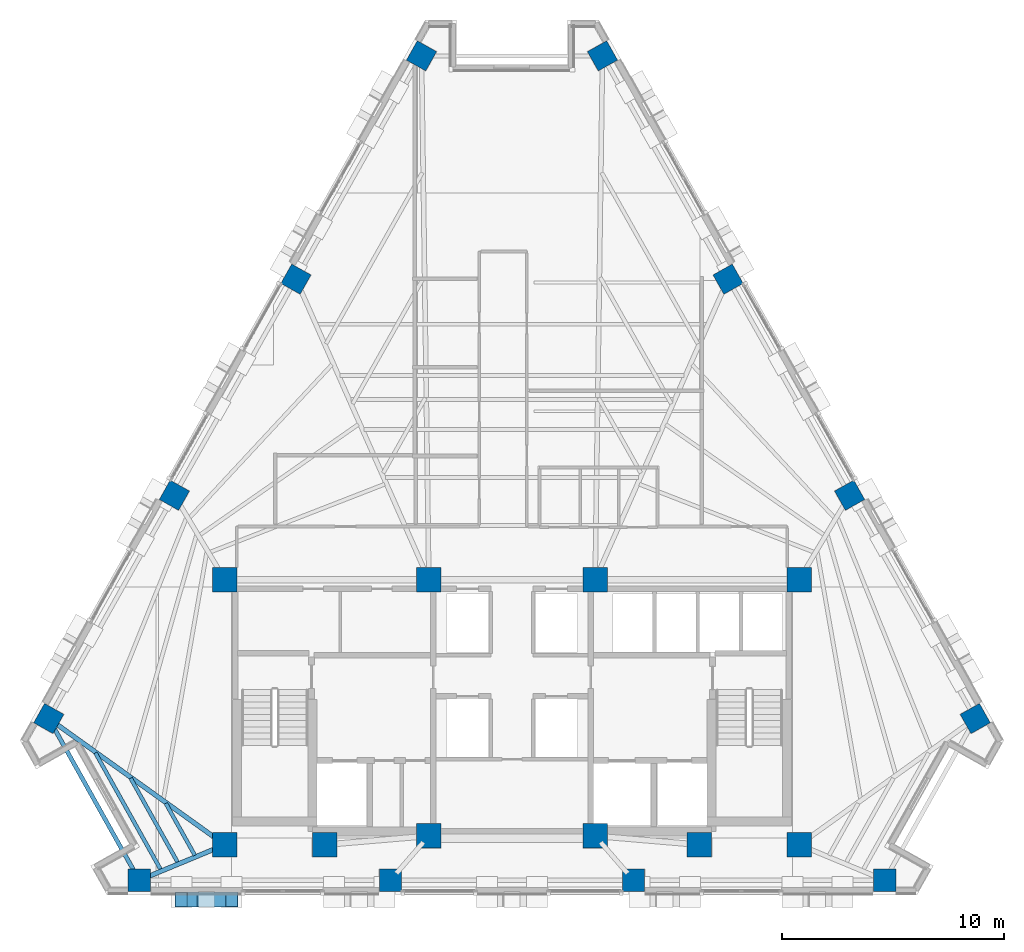
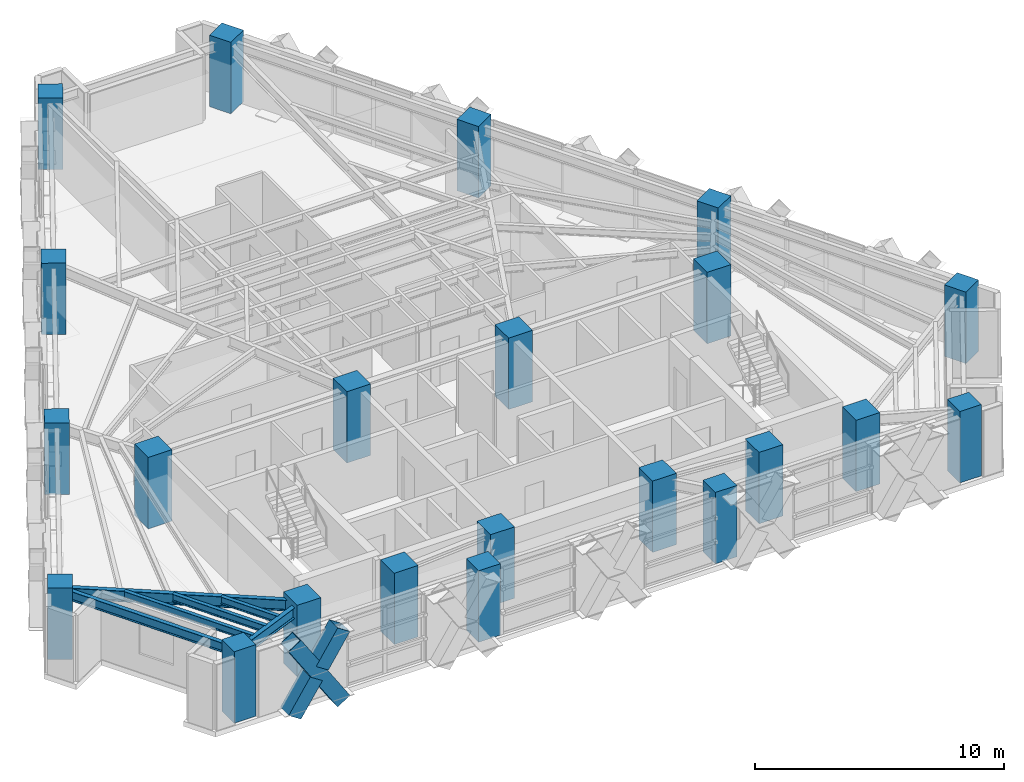
# One storey, part 1 of 14: 22 columns, 6 beams, 3 members.
"""IFC4 building model written with IfcOpenShell, lengths in metres."""

import ifcopenshell
import ifcopenshell.guid

model = None  # the IFC model being written
_history = None  # IfcOwnerHistory: only IFC2X3 demands one
_inside = {}  # id of a spatial element -> (the spatial element, [elements in it])
_under = {}  # id of a project, library or spatial element -> (it, [spatial elements below it])
_declared = {}  # id of a project -> (the project, [libraries it declares])
_typed = {}  # id of a type object -> (the type object, [elements of that type])
_made_of = {}  # id of a material, layer set ... -> (it, [elements and type objects made of it])


def new_model(schema):
    """Start an empty IFC model of exactly this schema.

    Asked for "IFC4X3", IfcOpenShell would pick the latest addendum, in which some entities
    have other attributes; the version numbers below select the first issue.
    IFC2X3 requires an IfcOwnerHistory on every rooted entity: one is made here for all.
    """
    global model, _history
    if schema == "IFC4X3":
        model = ifcopenshell.file(schema_version=(4, 3, 0, 0))
    else:
        model = ifcopenshell.file(schema=schema)
    _inside.clear()
    _under.clear()
    _declared.clear()
    _typed.clear()
    _made_of.clear()
    _history = None
    if model.schema == "IFC2X3":
        org = make("IfcOrganization", Name="unknown")
        user = make(
            "IfcPersonAndOrganization",
            ThePerson=make("IfcPerson", FamilyName="unknown"),
            TheOrganization=org,
        )
        app = make(
            "IfcApplication",
            ApplicationDeveloper=org,
            Version="unknown",
            ApplicationFullName="unknown",
            ApplicationIdentifier="unknown",
        )
        _history = make(
            "IfcOwnerHistory",
            OwningUser=user,
            OwningApplication=app,
            ChangeAction="ADDED",
            CreationDate=0,
        )
    return model


def make(cls, **values):
    """One entity of the class cls with the attributes given. An attribute that is None is left unset."""
    return model.create_entity(
        cls, **{name: value for name, value in values.items() if value is not None}
    )


def rooted(cls, **values):
    """An entity with a GlobalId (a new one), such as an element, a storey or a relation."""
    return make(cls, GlobalId=ifcopenshell.guid.new(), OwnerHistory=_history, **values)


def si_unit(unit_type, name, prefix=None):
    """IfcSIUnit, for example si_unit("LENGTHUNIT", "METRE", prefix="MILLI")."""
    return make("IfcSIUnit", UnitType=unit_type, Prefix=prefix, Name=name)


def assignment(units):
    """IfcUnitAssignment: the units of a project."""
    return None if units is None else make("IfcUnitAssignment", Units=units)


def point(xyz):
    """IfcCartesianPoint."""
    return None if xyz is None else make("IfcCartesianPoint", Coordinates=xyz)


def direction(xyz):
    """IfcDirection."""
    return None if xyz is None else make("IfcDirection", DirectionRatios=xyz)


def frame(location, z_axis=None, x_axis=None):
    """IfcAxis2Placement3D, a coordinate frame: its origin and axes. An axis left out is left unset."""
    return make(
        "IfcAxis2Placement3D",
        Location=point(location),
        Axis=direction(z_axis),
        RefDirection=direction(x_axis),
    )


def frame_2d(location, x_axis=None):
    """IfcAxis2Placement2D, a coordinate frame in the plane: its origin and x axis."""
    return make(
        "IfcAxis2Placement2D", Location=point(location), RefDirection=direction(x_axis)
    )


def origin():
    """The frame at (0, 0, 0) with its axes left unset."""
    return frame((0.0, 0.0, 0.0))


def origin_2d():
    """The frame at (0, 0) in the plane with its x axis left unset."""
    return frame_2d((0.0, 0.0))


def place(relative_to, where):
    """IfcLocalPlacement: puts the frame where relative to a parent placement (None: the world)."""
    return make(
        "IfcLocalPlacement", PlacementRelTo=relative_to, RelativePlacement=where
    )


def context(
    kind, dimensions, precision=None, world=None, true_north=None, identifier=None
):
    """IfcGeometricRepresentationContext, for example the 3D "Model" context."""
    return make(
        "IfcGeometricRepresentationContext",
        ContextIdentifier=identifier,
        ContextType=kind,
        CoordinateSpaceDimension=dimensions,
        Precision=precision,
        WorldCoordinateSystem=world,
        TrueNorth=true_north,
    )


def subcontext(parent, identifier, kind, view, scale=None):
    """IfcGeometricRepresentationSubContext, for example "Body" below "Model"."""
    return make(
        "IfcGeometricRepresentationSubContext",
        ContextIdentifier=identifier,
        ContextType=kind,
        ParentContext=parent,
        TargetScale=scale,
        TargetView=view,
    )


def project(units=None, contexts=None):
    """IfcProject with its units and contexts."""
    return rooted(
        "IfcProject",
        Name="project",
        RepresentationContexts=contexts,
        UnitsInContext=assignment(units),
    )


def spatial(cls, under=None, at=None, **own):
    """A site, building, storey or space (cls), placed at a placement, below another one or the project."""
    s = rooted(cls, ObjectPlacement=at, **own)
    if under is not None:
        _under.setdefault(under.id(), (under, []))[1].append(s)
    return s


def profile(cls, at=None, kind="AREA", **sizes):
    """A parametric profile (cls). Its sizes go by their IFC names, for example OverallWidth=200.0."""
    return make(cls, ProfileType=kind, Position=at, **sizes)


def rectangle(**sizes):
    """IfcRectangleProfileDef."""
    return profile("IfcRectangleProfileDef", **sizes)


def hollow_rectangle(**sizes):
    """IfcRectangleHollowProfileDef."""
    return profile("IfcRectangleHollowProfileDef", **sizes)


def i_section(**sizes):
    """IfcIShapeProfileDef."""
    return profile("IfcIShapeProfileDef", **sizes)


def extrude(swept, where, along, depth):
    """IfcExtrudedAreaSolid: the profile swept, set in the frame where, extruded along a direction by depth."""
    return make(
        "IfcExtrudedAreaSolid",
        SweptArea=swept,
        Position=where,
        ExtrudedDirection=direction(along),
        Depth=depth,
    )


def shape(context_of_items, identifier, shape_type, items):
    """IfcShapeRepresentation: the items that make up one representation, for example the "Body"."""
    return make(
        "IfcShapeRepresentation",
        ContextOfItems=context_of_items,
        RepresentationIdentifier=identifier,
        RepresentationType=shape_type,
        Items=items,
    )


def material(Name=None, Category=None):
    """IfcMaterial."""
    return make("IfcMaterial", Name=Name, Category=Category)


def material_profile(
    of_material, cross_section, Name=None, Category=None, Priority=None
):
    """IfcMaterialProfile: a cross section and its material."""
    return make(
        "IfcMaterialProfile",
        Name=Name,
        Material=of_material,
        Profile=cross_section,
        Priority=Priority,
        Category=Category,
    )


def profile_set(profiles, Name=None, composite=None):
    """IfcMaterialProfileSet."""
    return make(
        "IfcMaterialProfileSet",
        Name=Name,
        MaterialProfiles=profiles,
        CompositeProfile=composite,
    )


def made_of(thing, what):
    """Note that an element or type object is made of a material, layer set ...; save() writes the relation."""
    if what is not None:
        _made_of.setdefault(what.id(), (what, []))[1].append(thing)
    return thing


def type_object(cls, material=None, **own):
    """A type object (cls), such as IfcWallType, which elements share."""
    return made_of(rooted(cls, **own), material)


def element(
    cls,
    number,
    at=None,
    inside=None,
    cuts=None,
    type_object=None,
    material=None,
    context=None,
    identifier="Body",
    shape_type=None,
    held_by="IfcProductDefinitionShape",
    body=None,
    shapes=None,
    **own,
):
    """One element of the class cls, such as IfcWall. Its Tag is "e" and its number.

    at: its placement. inside: the storey or other place that contains it. cuts: it is an
    opening in that element (IfcRelVoidsElement). A single representation is given by context,
    identifier, shape_type and body (its items); several are given by shapes. held_by: the class
    of the entity that holds the representations. save() writes the other relations.
    """
    e = rooted(cls, Tag="e%d" % number, ObjectPlacement=at, **own)
    if body is not None:
        shapes = [shape(context, identifier, shape_type, body)]
    if shapes is not None:
        e.Representation = make(held_by, Representations=shapes)
    if inside is not None:
        _inside.setdefault(inside.id(), (inside, []))[1].append(e)
    if cuts is not None:
        rooted(
            "IfcRelVoidsElement", RelatingBuildingElement=cuts, RelatedOpeningElement=e
        )
    if type_object is not None:
        _typed.setdefault(type_object.id(), (type_object, []))[1].append(e)
    return made_of(e, material)


def aggregate(whole, parts):
    """IfcRelAggregates: a whole, such as a stair, and the parts it consists of."""
    return rooted("IfcRelAggregates", RelatingObject=whole, RelatedObjects=parts)


def save(model, path):
    """Write the relations noted so far, then the file.

    IfcRelAggregates (storeys below a building ...), IfcRelContainedInSpatialStructure (elements
    in a storey), IfcRelDefinesByType, IfcRelAssociatesMaterial and IfcRelDeclares: one each for
    every whole, place, type object, material and project.
    """
    for whole, parts in _under.values():
        aggregate(whole, parts)
    for where, things in _inside.values():
        rooted(
            "IfcRelContainedInSpatialStructure",
            RelatedElements=things,
            RelatingStructure=where,
        )
    for kind, things in _typed.values():
        rooted("IfcRelDefinesByType", RelatedObjects=things, RelatingType=kind)
    for what, things in _made_of.values():
        rooted("IfcRelAssociatesMaterial", RelatedObjects=things, RelatingMaterial=what)
    for by, libraries in _declared.values():
        rooted("IfcRelDeclares", RelatingContext=by, RelatedDefinitions=libraries)
    model.write(path)


model = new_model("IFC4")

# Units and contexts
model_context = context("Model", 3, precision=1e-05, world=origin(), true_north=direction((0.0, 1.0)))
body_context = subcontext(model_context, "Body", "Model", "MODEL_VIEW")
ifc_project = project(units=[si_unit("LENGTHUNIT", "METRE"), si_unit("AREAUNIT", "SQUARE_METRE"), si_unit("VOLUMEUNIT", "CUBIC_METRE"), si_unit("PLANEANGLEUNIT", "RADIAN"), si_unit("MASSUNIT", "GRAM", prefix="KILO")], contexts=[model_context])

# Site, building, storey
site_placement = place(None, origin())
site = spatial("IfcSite", under=ifc_project, at=site_placement, CompositionType="ELEMENT")
building_placement = place(site_placement, origin())
building = spatial("IfcBuilding", under=site, at=building_placement, Name="Quenlor Broadcast Tower", CompositionType="ELEMENT")
storey_placement = place(building_placement, frame((0.0, 0.0, 144.0)))
storey = spatial("IfcBuildingStorey", under=building, at=storey_placement, Name="L39", CompositionType="ELEMENT", Elevation=144.0)

# Columns
ifc_material_1 = material(Name="Concrete C65/80", Category="concrete")
ifc_material_profile_1 = material_profile(ifc_material_1, rectangle(XDim=1.10009765625, YDim=1.10009765625, at=origin_2d()))
ifc_profile_set_1 = profile_set([ifc_material_profile_1], Name="Concrete C65/80 RC1100x1100")
column_type_1 = type_object("IfcColumnType", Name="Core Corner Column Mid Concrete C65/80 1100", PredefinedType="COLUMN", material=ifc_profile_set_1)
for number, where, z_axis, x_axis, name in (
    (1, (-12.949951171875, -16.75, 0.0), (0.0, 0.0, 1.0), (1.0, 0.0, 0.0), "L39 Core Column CC1"),
    (2, (-8.449951171875, -16.75, 0.0), (0.0, 0.0, 1.0), (1.0, 0.0, 0.0), "L39 Core Column CC2"),
    (3, (-3.75, -16.35009765625, 0.0), (0.0, 0.0, 1.0), (1.0, 0.0, 0.0), "L39 Core Column CC3"),
    (4, (3.75, -16.35009765625, 0.0), (0.0, 0.0, 1.0), (1.0, 0.0, 0.0), "L39 Core Column CC4"),
    (5, (8.449951171875, -16.75, 0.0), (0.0, 0.0, 1.0), (1.0, 0.0, 0.0), "L39 Core Column CC5"),
    (6, (12.949951171875, -16.75, 0.0), (0.0, 0.0, 1.0), (1.0, 0.0, 0.0), "L39 Core Column CC6"),
    (7, (-12.949951171875, -4.800048828125, 0.0), (0.0, 0.0, 1.0), (1.0, 0.0, 0.0), "L39 Core Column CC7"),
    (8, (-3.75, -4.800048828125, 0.0), (0.0, 0.0, 1.0), (1.0, 0.0, 0.0), "L39 Core Column CC8"),
    (9, (3.75, -4.800048828125, 0.0), (0.0, 0.0, 1.0), (1.0, 0.0, 0.0), "L39 Core Column CC9"),
    (10, (12.949951171875, -4.800048828125, 0.0), (0.0, 0.0, 1.0), (1.0, 0.0, 0.0), "L39 Core Column CC10"),
):
    element("IfcColumn", number, at=place(storey_placement, frame(where, z_axis=z_axis, x_axis=x_axis)), inside=storey, type_object=column_type_1, Name=name, PredefinedType="COLUMN", context=body_context, shape_type="SweptSolid", body=[
        extrude(rectangle(XDim=1.10009765625, YDim=1.10009765625, at=origin_2d()), origin(), (0.0, 0.0, 1.0), 3.5),
    ])
ifc_material_2 = material(Name="Concrete C50/60", Category="concrete")
ifc_material_profile_2 = material_profile(ifc_material_2, rectangle(XDim=1.0, YDim=1.0, at=origin_2d()))
ifc_profile_set_2 = profile_set([ifc_material_profile_2], Name="Concrete C50/60 RC1000x1000")
column_type_2 = type_object("IfcColumnType", Name="Tower Perimeter Column Z3 Concrete C50/60 1000", PredefinedType="COLUMN", material=ifc_profile_set_2)
for number, where, z_axis, x_axis, name in (
    (11, (-16.808349609375, -18.35009765625, 0.0), (0.0, 0.0, 1.0), (0.0, 1.0, 0.0), "L39 Perimeter Column S1"),
    (12, (-5.48095703125, -18.35009765625, 0.0), (0.0, 0.0, 1.0), (0.0, 1.0, 0.0), "L39 Perimeter Column S2"),
    (13, (5.48095703125, -18.35009765625, 0.0), (0.0, 0.0, 1.0), (0.0, 1.0, 0.0), "L39 Perimeter Column S3"),
    (14, (16.808349609375, -18.35009765625, 0.0), (0.0, 0.0, 1.0), (0.0, 1.0, 0.0), "L39 Perimeter Column S4"),
    (15, (20.8876953125, -11.0595703125, 0.0), (0.0, 0.0, 1.0), (0.871575139605, 0.490261946333, 0.0), "L39 Perimeter Column NE1"),
    (16, (15.22412109375, -0.99072265625, 0.0), (0.0, 0.0, 1.0), (0.871575139605, 0.490261946333, 0.0), "L39 Perimeter Column NE2"),
    (17, (9.742919921875, 8.75341796875, 0.0), (0.0, 0.0, 1.0), (0.871575139605, 0.490261946333, 0.0), "L39 Perimeter Column NE3"),
    (18, (4.079345703125, 18.822021484375, 0.0), (0.0, 0.0, 1.0), (0.871575139605, 0.490261946333, 0.0), "L39 Perimeter Column NE4"),
    (19, (-4.079345703125, 18.822021484375, 0.0), (0.0, 0.0, 1.0), (-0.871575139605, 0.490261946333, 0.0), "L39 Perimeter Column NW1"),
    (20, (-9.742919921875, 8.75341796875, 0.0), (0.0, 0.0, 1.0), (-0.871575139605, 0.490261946333, 0.0), "L39 Perimeter Column NW2"),
    (21, (-15.22412109375, -0.99072265625, 0.0), (0.0, 0.0, 1.0), (-0.871575139605, 0.490261946333, 0.0), "L39 Perimeter Column NW3"),
    (22, (-20.8876953125, -11.0595703125, 0.0), (0.0, 0.0, 1.0), (-0.871575139605, 0.490261946333, 0.0), "L39 Perimeter Column NW4"),
):
    element("IfcColumn", number, at=place(storey_placement, frame(where, z_axis=z_axis, x_axis=x_axis)), inside=storey, type_object=column_type_2, Name=name, PredefinedType="COLUMN", context=body_context, shape_type="SweptSolid", body=[
        extrude(rectangle(XDim=1.0, YDim=1.0, at=origin_2d()), origin(), (0.0, 0.0, 1.0), 3.5),
    ])

# Members
ifc_material_3 = material(Name="Steel S355", Category="steel")
ifc_material_profile_3 = material_profile(ifc_material_3, hollow_rectangle(XDim=0.679931640625, YDim=0.679931640625, WallThickness=0.02490234375, at=origin_2d()))
ifc_profile_set_3 = profile_set([ifc_material_profile_3], Name="Steel S355 RHS680x680x25")
member_type = type_object("IfcMemberType", Name="Perimeter Diagonal Lattice Brace Z3-Z4 Steel S355 RHS680x25", PredefinedType="BRACE", material=ifc_profile_set_3)
member_1_placement = place(storey_placement, frame((-12.641845703125, -19.219970703125, -0.1201171875), z_axis=(-0.543860340502, 0.0, 0.839175744424), x_axis=(0.0, -1.0, 0.0)))
element("IfcMember", 23, at=member_1_placement, inside=storey, type_object=member_type, Name="L39 Perimeter Diamond Lattice S-C5XA", PredefinedType="BRACE", context=body_context, shape_type="SweptSolid", body=[
    extrude(hollow_rectangle(XDim=0.679931640625, YDim=0.679931640625, WallThickness=0.02490234375, at=origin_2d()), origin(), (0.0, 0.0, 1.0), 4.170654296875),
])
member_2_placement = place(storey_placement, frame((-14.91015625, -19.219970703125, -0.1201171875), z_axis=(0.543786168213, 0.0, 0.839223809994), x_axis=(0.0, 1.0, 0.0)))
element("IfcMember", 24, at=member_2_placement, inside=storey, type_object=member_type, Name="L39 Perimeter Diamond Lattice S-C5XB1", PredefinedType="BRACE", context=body_context, shape_type="SweptSolid", body=[
    extrude(hollow_rectangle(XDim=0.679931640625, YDim=0.679931640625, WallThickness=0.02490234375, at=origin_2d()), origin(), (0.0, 0.0, 1.0), 1.83544921875),
])
member_3_placement = place(storey_placement, frame((-13.639892578125, -19.219970703125, 1.83984375), z_axis=(0.543846878394, 0.0, 0.839184468911), x_axis=(0.0, 1.0, 0.0)))
element("IfcMember", 25, at=member_3_placement, inside=storey, type_object=member_type, Name="L39 Perimeter Diamond Lattice S-C5XB2", PredefinedType="BRACE", context=body_context, shape_type="SweptSolid", body=[
    extrude(hollow_rectangle(XDim=0.679931640625, YDim=0.679931640625, WallThickness=0.02490234375, at=origin_2d()), origin(), (0.0, 0.0, 1.0), 1.835205078125),
])

# Beams
ifc_material_4 = material(Name="Steel S355", Category="steel")
ifc_material_profile_4 = material_profile(ifc_material_4, i_section(OverallWidth=0.19091796875, OverallDepth=0.46044921875, WebThickness=0.010009765625, FlangeThickness=0.01611328125, FilletRadius=0.011474609375, at=origin_2d()))
ifc_profile_set_4 = profile_set([ifc_material_profile_4], Name="Steel S355 460UB82.1")
beam_type_1 = type_object("IfcBeamType", Name="Perimeter Spandrel Beam Z3 Steel S355 460UB82.1", PredefinedType="SPANDREL", material=ifc_profile_set_4)
beam_1_placement = place(storey_placement, frame((-20.6875, -11.417236328125, 3.019775390625), z_axis=(0.488298439934, -0.872676706208, 0.0), x_axis=(0.872676706208, 0.488298439934, 0.0)))
element("IfcBeam", 26, at=beam_1_placement, inside=storey, type_object=beam_type_1, Name="L39 Spandrel Beam NW4-S1", PredefinedType="SPANDREL", context=body_context, shape_type="SweptSolid", body=[
    extrude(i_section(OverallWidth=0.19091796875, OverallDepth=0.46044921875, WebThickness=0.010009765625, FlangeThickness=0.01611328125, FilletRadius=0.011474609375, at=origin_2d()), origin(), (0.0, 0.0, 1.0), 7.5341796875),
])
ifc_material_5 = material(Name="Steel S355", Category="steel")
ifc_material_profile_5 = material_profile(ifc_material_5, i_section(OverallWidth=0.172119140625, OverallDepth=0.358642578125, WebThickness=0.008056640625, FlangeThickness=0.012939453125, FilletRadius=0.011474609375, at=origin_2d()))
ifc_profile_set_5 = profile_set([ifc_material_profile_5], Name="Steel S355 360UB56.7")
beam_type_2 = type_object("IfcBeamType", Name="Tower Composite Joist Z2-Z3 Steel S355 360UB56.7", PredefinedType="JOIST", material=ifc_profile_set_5)
beam_2_placement = place(storey_placement, frame((-14.30078125, -17.22412109375, 3.07080078125), z_axis=(-0.488370382241, 0.87263644764, 0.0), x_axis=(-0.87263644764, -0.488370382241, 0.0)))
element("IfcBeam", 27, at=beam_2_placement, inside=storey, type_object=beam_type_2, Name="L39 Secondary Composite Joist 19", PredefinedType="JOIST", context=body_context, shape_type="SweptSolid", body=[
    extrude(i_section(OverallWidth=0.172119140625, OverallDepth=0.358642578125, WebThickness=0.008056640625, FlangeThickness=0.012939453125, FilletRadius=0.011474609375, at=origin_2d()), origin(), (0.0, 0.0, 1.0), 2.680419921875),
])
beam_3_placement = place(storey_placement, frame((-15.072509765625, -17.544189453125, 3.07080078125), z_axis=(-0.488294103756, 0.872679132463, 0.0), x_axis=(-0.872679132463, -0.488294103756, 0.0)))
element("IfcBeam", 28, at=beam_3_placement, inside=storey, type_object=beam_type_2, Name="L39 Secondary Composite Joist 20", PredefinedType="JOIST", context=body_context, shape_type="SweptSolid", body=[
    extrude(i_section(OverallWidth=0.172119140625, OverallDepth=0.358642578125, WebThickness=0.008056640625, FlangeThickness=0.012939453125, FilletRadius=0.011474609375, at=origin_2d()), origin(), (0.0, 0.0, 1.0), 4.351318359375),
])
beam_4_placement = place(storey_placement, frame((-15.84423828125, -17.8642578125, 3.07080078125), z_axis=(-0.488308300212, 0.872671188905, 0.0), x_axis=(-0.872671188905, -0.488308300212, 0.0)))
element("IfcBeam", 29, at=beam_4_placement, inside=storey, type_object=beam_type_2, Name="L39 Secondary Composite Joist 21", PredefinedType="JOIST", context=body_context, shape_type="SweptSolid", body=[
    extrude(i_section(OverallWidth=0.172119140625, OverallDepth=0.358642578125, WebThickness=0.008056640625, FlangeThickness=0.012939453125, FilletRadius=0.011474609375, at=origin_2d()), origin(), (0.0, 0.0, 1.0), 6.022216796875),
])
ifc_material_6 = material(Name="Steel S355", Category="steel")
ifc_material_profile_6 = material_profile(ifc_material_6, i_section(OverallWidth=0.208984375, OverallDepth=0.532958984375, WebThickness=0.01025390625, FlangeThickness=0.015625, FilletRadius=0.013916015625, at=origin_2d()))
ifc_profile_set_6 = profile_set([ifc_material_profile_6], Name="Steel S355 530UB92.4")
beam_type_3 = type_object("IfcBeamType", Name="Tower Primary Floor Beam Z3 Steel S355 530UB92.4", PredefinedType="BEAM", material=ifc_profile_set_6)
beam_5_placement = place(storey_placement, frame((-16.4296875, -18.19287109375, 2.9833984375), z_axis=(0.923730294618, 0.383043525993, 0.0), x_axis=(-0.383043525993, 0.923730294618, 0.0)))
element("IfcBeam", 30, at=beam_5_placement, inside=storey, type_object=beam_type_3, Name="L39 Primary Radial Beam S1", PredefinedType="BEAM", context=body_context, shape_type="SweptSolid", body=[
    extrude(i_section(OverallWidth=0.208984375, OverallDepth=0.532958984375, WebThickness=0.01025390625, FlangeThickness=0.015625, FilletRadius=0.013916015625, at=origin_2d()), origin(), (0.0, 0.0, 1.0), 3.386962890625),
])
beam_6_placement = place(storey_placement, frame((-20.554443359375, -11.29833984375, 2.9833984375), z_axis=(0.812728908832, -0.582642017666, 0.0), x_axis=(0.582642017666, 0.812728908832, 0.0)))
element("IfcBeam", 31, at=beam_6_placement, inside=storey, type_object=beam_type_3, Name="L39 Primary Radial Beam NW4", PredefinedType="BEAM", context=body_context, shape_type="SweptSolid", body=[
    extrude(i_section(OverallWidth=0.208984375, OverallDepth=0.532958984375, WebThickness=0.01025390625, FlangeThickness=0.015625, FilletRadius=0.013916015625, at=origin_2d()), origin(), (0.0, 0.0, 1.0), 8.976806640625),
])

save(model, "model.ifc")
